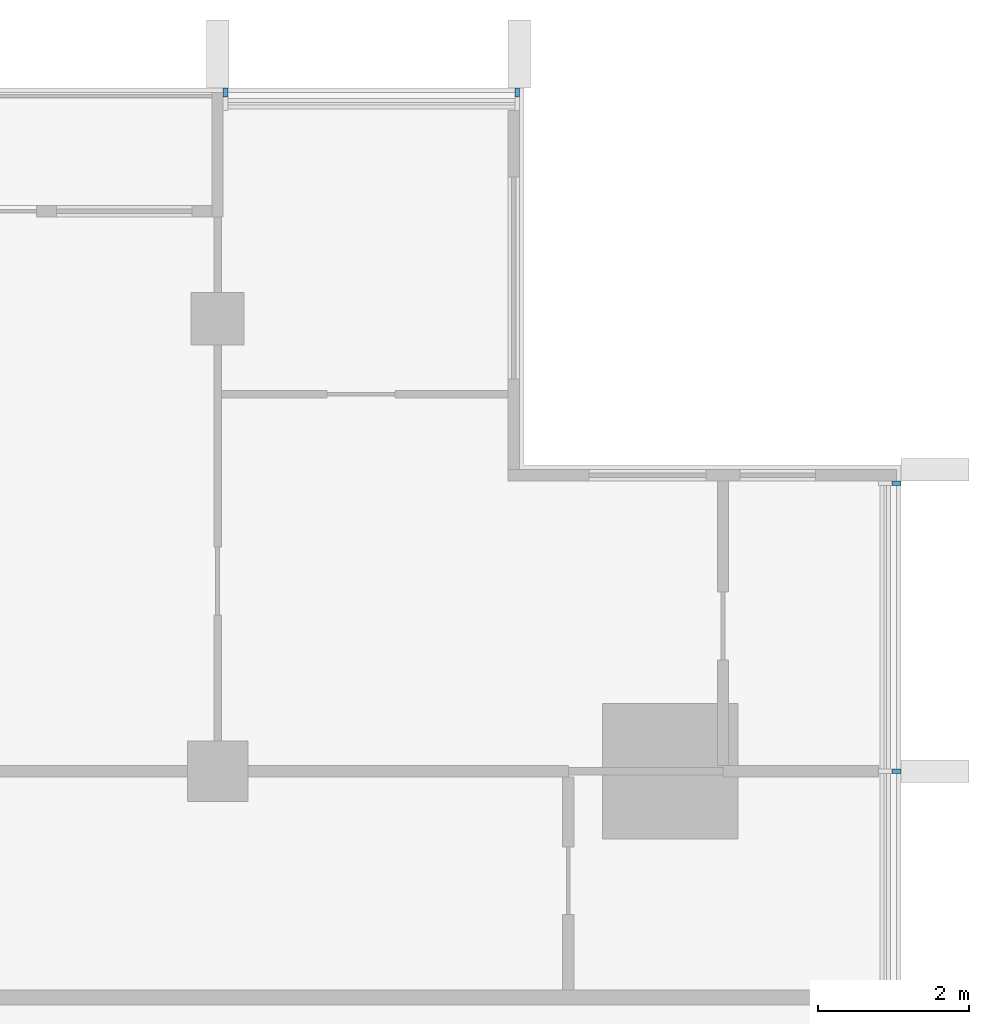
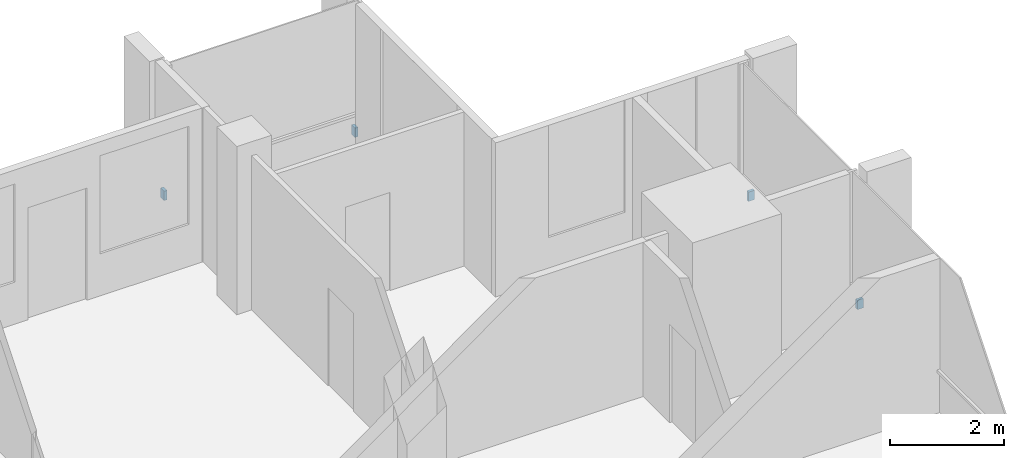
# One storey, part 15 of 16: 4 discrete accessories.
"""IFC4 building model written with IfcOpenShell, lengths in metres."""

from ifc_helpers import new_model, si_unit, direction, frame, origin, origin_2d, place, context, subcontext, project, spatial, rectangle, extrude, material, type_object, element, save


model = new_model("IFC4")

# Units and contexts
model_context = context("Model", 3, precision=1e-05, world=origin(), true_north=direction((0.0, 1.0)))
body_context = subcontext(model_context, "Body", "Model", "MODEL_VIEW")
ifc_project = project(units=[si_unit("LENGTHUNIT", "METRE"), si_unit("AREAUNIT", "SQUARE_METRE"), si_unit("VOLUMEUNIT", "CUBIC_METRE"), si_unit("PLANEANGLEUNIT", "RADIAN"), si_unit("MASSUNIT", "GRAM", prefix="KILO")], contexts=[model_context])

# Site, building, storey
site_placement = place(None, origin())
site = spatial("IfcSite", under=ifc_project, at=site_placement, CompositionType="ELEMENT")
building_placement = place(site_placement, origin())
building = spatial("IfcBuilding", under=site, at=building_placement, Name="Finial Court Residences", CompositionType="ELEMENT")
storey_placement = place(building_placement, frame((0.0, 0.0, 284.300048828125)))
storey = spatial("IfcBuildingStorey", under=building, at=storey_placement, Name="L72", CompositionType="ELEMENT", Elevation=284.300048828125)

# Discrete accessories
ifc_material = material(Name="Stainless steel 316", Category="steel")
discrete_accessory_type = type_object("IfcDiscreteAccessoryType", Name="Fin bracket, stainless steel 60 x 122 x 200", PredefinedType="BRACKET", material=ifc_material)
for number, where, z_axis, x_axis, name in (
    (1, (10.60498046875, 16.498779296875, 0.2998046875), (0.0, 0.0, 1.0), (1.0, 0.0, 0.0), "E-L72-FIN-N5-BRK"),
    (2, (14.469970703125, 16.498779296875, 0.2998046875), (0.0, 0.0, 1.0), (1.0, 0.0, 0.0), "E-L72-FIN-N6-BRK"),
):
    element("IfcDiscreteAccessory", number, at=place(storey_placement, frame(where, z_axis=z_axis, x_axis=x_axis)), inside=storey, type_object=discrete_accessory_type, Name=name, PredefinedType="BRACKET", context=body_context, shape_type="SweptSolid", body=[
        extrude(rectangle(XDim=0.06005859375, YDim=0.12255859375, at=origin_2d()), origin(), (0.0, 0.0, 1.0), 0.199951171875),
    ])
for number, where, z_axis, x_axis, name in (
    (3, (19.498779296875, 7.5, 0.2998046875), (0.0, 0.0, 1.0), (1.0, 0.0, 0.0), "E-L72-FIN-E11-BRK"),
    (4, (19.498779296875, 11.320068359375, 0.2998046875), (0.0, 0.0, 1.0), (1.0, 0.0, 0.0), "E-L72-FIN-E12-BRK"),
):
    element("IfcDiscreteAccessory", number, at=place(storey_placement, frame(where, z_axis=z_axis, x_axis=x_axis)), inside=storey, type_object=discrete_accessory_type, Name=name, PredefinedType="BRACKET", context=body_context, shape_type="SweptSolid", body=[
        extrude(rectangle(XDim=0.12255859375, YDim=0.06005859375, at=origin_2d()), origin(), (0.0, 0.0, 1.0), 0.199951171875),
    ])

save(model, "model.ifc")
